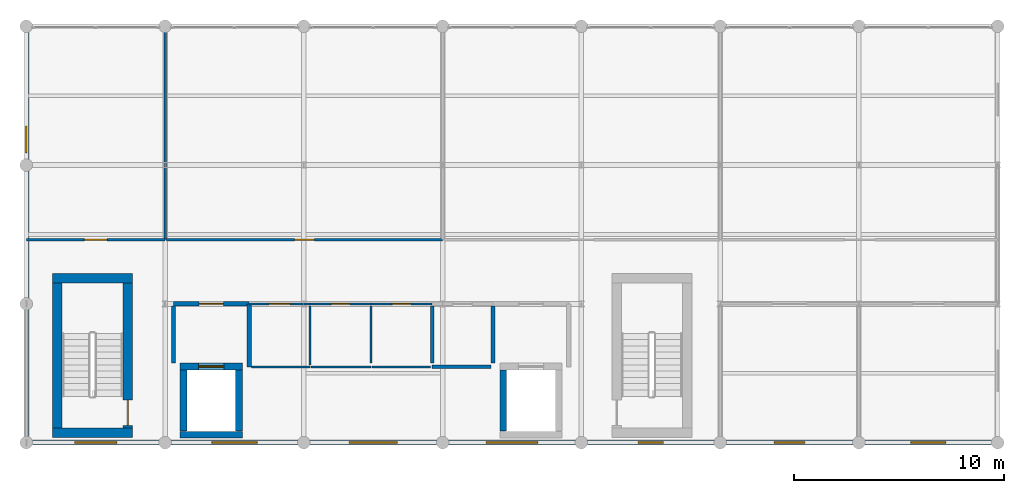
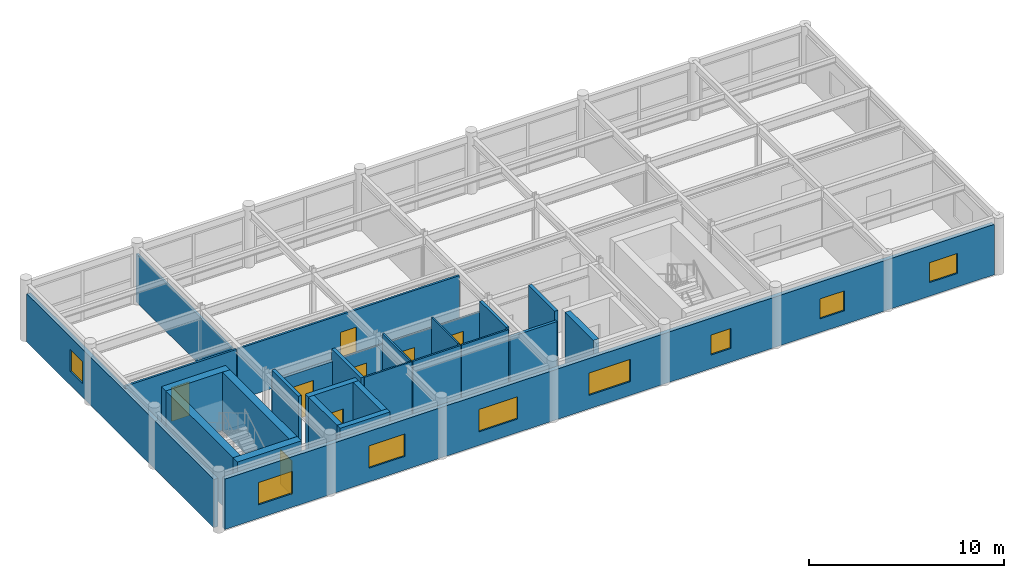
# One storey, part 15 of 17: 28 walls, 8 doors, 8 windows, 16 openings.
"""IFC4 building model written with IfcOpenShell, lengths in metres."""

from ifc_helpers import new_model, si_unit, direction, frame, frame_2d, origin, place, context, subcontext, project, spatial, rectangle, extrude, material, layer, layer_set, type_object, element, fill, save


model = new_model("IFC4")

# Units and contexts
model_context = context("Model", 3, precision=1e-05, world=origin(), true_north=direction((0.0, 1.0)))
body_context = subcontext(model_context, "Body", "Model", "MODEL_VIEW")
ifc_project = project(units=[si_unit("LENGTHUNIT", "METRE"), si_unit("AREAUNIT", "SQUARE_METRE"), si_unit("VOLUMEUNIT", "CUBIC_METRE"), si_unit("PLANEANGLEUNIT", "RADIAN"), si_unit("MASSUNIT", "GRAM", prefix="KILO")], contexts=[model_context])

# Site, building, storey
site_placement = place(None, origin())
site = spatial("IfcSite", under=ifc_project, at=site_placement, CompositionType="ELEMENT")
building_placement = place(site_placement, origin())
building = spatial("IfcBuilding", under=site, at=building_placement, Name="Karori Crest Natural Sciences Institute", CompositionType="ELEMENT")
storey_placement = place(building_placement, frame((0.0, 0.0, 38.14990234375)))
storey = spatial("IfcBuildingStorey", under=building, at=storey_placement, Name="L09", CompositionType="ELEMENT", Elevation=38.14990234375)

# Walls
ifc_material_1 = material(Name="Concrete 50 MPa", Category="concrete")
ifc_layer_1 = layer(ifc_material_1, 0.449951171875, Name="Concrete 50 MPa")
ifc_layer_set_1 = layer_set([ifc_layer_1], Name="Concrete 50 MPa")
wall_type_1 = type_object("IfcWallType", Name="IWT-01", PredefinedType="SHEAR", material=ifc_layer_set_1)
for number, where, z_axis, x_axis, name in (
    (1, (104.85009765625, 1.27490234375, 0.0), (0.0, 0.0, 1.0), (1.0, 0.0, 0.0), "Shear wall IW-0109"),
    (2, (104.85009765625, 8.625, 0.0), (0.0, 0.0, 1.0), (1.0, 0.0, 0.0), "Shear wall IW-0110"),
):
    element("IfcWall", number, at=place(storey_placement, frame(where, z_axis=z_axis, x_axis=x_axis)), inside=storey, type_object=wall_type_1, Name=name, PredefinedType="SHEAR", context=body_context, shape_type="SweptSolid", body=[
        extrude(rectangle(XDim=3.7998046875, YDim=0.449951171875, at=frame_2d((1.89990234375, 0.0))), origin(), (0.0, 0.0, 1.0), 3.670166015625),
    ])
wall_1_placement = place(storey_placement, frame((105.074951171875, 1.501953125, 0.0), z_axis=(0.0, 0.0, 1.0), x_axis=(0.0, 1.0, 0.0)))
element("IfcWall", 3, at=wall_1_placement, inside=storey, type_object=wall_type_1, Name="Shear wall IW-0111", PredefinedType="SHEAR", context=body_context, shape_type="SweptSolid", body=[
    extrude(rectangle(XDim=6.89599609375, YDim=0.449951171875, at=frame_2d((3.447998046875, 0.0))), origin(), (0.0, 0.0, 1.0), 3.670166015625),
])

# Wall, opening, door
wall_2_placement = place(storey_placement, frame((108.425048828125, 1.501953125, 0.0), z_axis=(0.0, 0.0, 1.0), x_axis=(0.0, 1.0, 0.0)))
wall_2 = element("IfcWall", 4, at=wall_2_placement, inside=storey, type_object=wall_type_1, Name="Shear wall IW-0112", PredefinedType="SHEAR", context=body_context, shape_type="SweptSolid", body=[
    extrude(rectangle(XDim=6.89599609375, YDim=0.449951171875, at=frame_2d((3.447998046875, 0.0))), origin(), (0.0, 0.0, 1.0), 3.670166015625),
])
opening_1_placement = place(wall_2_placement, frame((0.1201171875, 0.0, 0.0)))
opening_1 = element("IfcOpeningElement", 5, at=opening_1_placement, cuts=wall_2, Name="Opening ID-0028", PredefinedType="OPENING", context=body_context, shape_type="SweptSolid", body=[
    extrude(rectangle(XDim=1.199951171875, YDim=2.14990234375, at=frame_2d((0.60009765625, 1.074951171875))), frame((0.0, 0.23486328125, 0.0), z_axis=(0.0, -1.0, 0.0), x_axis=(1.0, 0.0, 0.0)), (0.0, 0.0, 1.0), 0.469970703125),
])
ifc_material_2 = material(Name="Stainless steel 316 and fire-rated timber", Category="steel")
door_type_1 = type_object("IfcDoorType", Name="IDT-01", OperationType="NOTDEFINED", PredefinedType="DOOR", material=ifc_material_2)
door_1_placement = place(opening_1_placement, origin())
door_1 = element("IfcDoor", 6, at=door_1_placement, inside=storey, type_object=door_type_1, Name="Stair ST-03 fire door ID-0028", OperationType="SINGLE_SWING_RIGHT", OverallHeight=2.14990234375, OverallWidth=1.199951171875, PredefinedType="DOOR", context=body_context, shape_type="SweptSolid", body=[
    extrude(rectangle(XDim=1.199951171875, YDim=2.14990234375, at=frame_2d((0.60009765625, 1.074951171875))), frame((0.0, 0.02490234375, 0.0), z_axis=(0.0, -1.0, 0.0), x_axis=(1.0, 0.0, 0.0)), (0.0, 0.0, 1.0), 0.050048828125),
])
fill(opening_1, door_1)

# Wall
ifc_layer_2 = layer(ifc_material_1, 0.320068359375, Name="Concrete 50 MPa")
ifc_layer_set_2 = layer_set([ifc_layer_2], Name="Concrete 50 MPa")
wall_type_2 = type_object("IfcWallType", Name="IWT-03", PredefinedType="SHEAR", material=ifc_layer_set_2)
wall_3_placement = place(storey_placement, frame((110.919921875, 1.179931640625, 0.0), z_axis=(0.0, 0.0, 1.0), x_axis=(1.0, 0.0, 0.0)))
element("IfcWall", 7, at=wall_3_placement, inside=storey, type_object=wall_type_2, Name="Shear wall IW-0345", PredefinedType="SHEAR", context=body_context, shape_type="SweptSolid", body=[
    extrude(rectangle(XDim=2.9599609375, YDim=0.320068359375, at=frame_2d((1.47998046875, 0.0))), origin(), (0.0, 0.0, 1.0), 3.670166015625),
])

# Wall, opening, door
wall_4_placement = place(storey_placement, frame((110.919921875, 4.419921875, 0.0), z_axis=(0.0, 0.0, 1.0), x_axis=(1.0, 0.0, 0.0)))
wall_4 = element("IfcWall", 8, at=wall_4_placement, inside=storey, type_object=wall_type_2, Name="Shear wall IW-0346", PredefinedType="SHEAR", context=body_context, shape_type="SweptSolid", body=[
    extrude(rectangle(XDim=2.9599609375, YDim=0.320068359375, at=frame_2d((1.47998046875, 0.0))), origin(), (0.0, 0.0, 1.0), 3.670166015625),
])
opening_2_placement = place(wall_4_placement, frame((0.8798828125, 0.0, 0.0)))
opening_2 = element("IfcOpeningElement", 9, at=opening_2_placement, cuts=wall_4, Name="Opening LD-0011", PredefinedType="OPENING", context=body_context, shape_type="SweptSolid", body=[
    extrude(rectangle(XDim=1.199951171875, YDim=2.199951171875, at=frame_2d((0.60009765625, 1.10009765625))), frame((0.0, 0.169921875, 0.0), z_axis=(0.0, -1.0, 0.0), x_axis=(1.0, 0.0, 0.0)), (0.0, 0.0, 1.0), 0.340087890625),
])
door_type_2 = type_object("IfcDoorType", Name="LDT-02", OperationType="SLIDING_TO_LEFT", PredefinedType="DOOR", material=ifc_material_2)
door_2_placement = place(opening_2_placement, origin())
door_2 = element("IfcDoor", 10, at=door_2_placement, inside=storey, type_object=door_type_2, Name="Lift LF-01 landing door LD-0011", OperationType="SLIDING_TO_LEFT", OverallHeight=2.199951171875, OverallWidth=1.199951171875, PredefinedType="DOOR", context=body_context, shape_type="SweptSolid", body=[
    extrude(rectangle(XDim=1.199951171875, YDim=2.199951171875, at=frame_2d((0.60009765625, 1.10009765625))), frame((0.0, 0.02490234375, 0.0), z_axis=(0.0, -1.0, 0.0), x_axis=(1.0, 0.0, 0.0)), (0.0, 0.0, 1.0), 0.050048828125),
])
fill(opening_2, door_2)

# Walls
for number, where, z_axis, x_axis, name in (
    (11, (111.080078125, 1.342041015625, 0.0), (0.0, 0.0, 1.0), (0.0, 1.0, 0.0), "Shear wall IW-0347"),
    (12, (113.719970703125, 1.342041015625, 0.0), (0.0, 0.0, 1.0), (0.0, 1.0, 0.0), "Shear wall IW-0348"),
    (13, (126.280029296875, 1.342041015625, 0.0), (0.0, 0.0, 1.0), (0.0, 1.0, 0.0), "Shear wall IW-0395"),
):
    element("IfcWall", number, at=place(storey_placement, frame(where, z_axis=z_axis, x_axis=x_axis)), inside=storey, type_object=wall_type_2, Name=name, PredefinedType="SHEAR", context=body_context, shape_type="SweptSolid", body=[
        extrude(rectangle(XDim=2.916015625, YDim=0.320068359375, at=frame_2d((1.4580078125, 0.0))), origin(), (0.0, 0.0, 1.0), 3.670166015625),
    ])

# Wall, opening, door
ifc_material_3 = material(Name="Concrete 40 MPa", Category="concrete")
ifc_layer_3 = layer(ifc_material_3, 0.199951171875, Name="Concrete 40 MPa")
ifc_layer_set_3 = layer_set([ifc_layer_3], Name="Concrete 40 MPa")
wall_type_3 = type_object("IfcWallType", Name="IWT-04", PredefinedType="SOLIDWALL", material=ifc_layer_set_3)
wall_5_placement = place(storey_placement, frame((110.60009765625, 7.39990234375, 0.0), z_axis=(0.0, 0.0, 1.0), x_axis=(1.0, 0.0, 0.0)))
wall_5 = element("IfcWall", 14, at=wall_5_placement, inside=storey, type_object=wall_type_3, Name="Partition wall IW-0838", PredefinedType="SOLIDWALL", context=body_context, shape_type="SweptSolid", body=[
    extrude(rectangle(XDim=3.599853515625, YDim=0.199951171875, at=frame_2d((1.7998046875, 0.0))), origin(), (0.0, 0.0, 1.0), 2.943115234375),
])
opening_3_placement = place(wall_5_placement, frame((1.22509765625, 0.0, 0.0)))
opening_3 = element("IfcOpeningElement", 15, at=opening_3_placement, cuts=wall_5, Name="Opening ID-0199", PredefinedType="OPENING", context=body_context, shape_type="SweptSolid", body=[
    extrude(rectangle(XDim=1.14990234375, YDim=2.14990234375, at=frame_2d((0.574951171875, 1.074951171875))), frame((0.0, 0.10986328125, 0.0), z_axis=(0.0, -1.0, 0.0), x_axis=(1.0, 0.0, 0.0)), (0.0, 0.0, 1.0), 0.219970703125),
])
door_type_3 = type_object("IfcDoorType", Name="IDT-02", OperationType="NOTDEFINED", PredefinedType="DOOR", material=ifc_material_2)
door_3_placement = place(opening_3_placement, origin())
door_3 = element("IfcDoor", 16, at=door_3_placement, inside=storey, type_object=door_type_3, Name="Firefighting Lift Lobby West door ID-0199", OperationType="SINGLE_SWING_RIGHT", OverallHeight=2.14990234375, OverallWidth=1.14990234375, PredefinedType="DOOR", context=body_context, shape_type="SweptSolid", body=[
    extrude(rectangle(XDim=1.14990234375, YDim=2.14990234375, at=frame_2d((0.574951171875, 1.074951171875))), frame((0.0, 0.02490234375, 0.0), z_axis=(0.0, -1.0, 0.0), x_axis=(1.0, 0.0, 0.0)), (0.0, 0.0, 1.0), 0.050048828125),
])
fill(opening_3, door_3)

# Walls
wall_6_placement = place(storey_placement, frame((110.60009765625, 4.58203125, 0.0), z_axis=(0.0, 0.0, 1.0), x_axis=(0.0, 1.0, 0.0)))
element("IfcWall", 17, at=wall_6_placement, inside=storey, type_object=wall_type_3, Name="Partition wall IW-0839", PredefinedType="SOLIDWALL", context=body_context, shape_type="SweptSolid", body=[
    extrude(rectangle(XDim=2.716064453125, YDim=0.199951171875, at=frame_2d((1.35791015625, 0.0))), origin(), (0.0, 0.0, 1.0), 3.670166015625),
])
wall_7_placement = place(storey_placement, frame((114.199951171875, 4.39990234375, 0.0), z_axis=(0.0, 0.0, 1.0), x_axis=(0.0, 1.0, 0.0)))
element("IfcWall", 18, at=wall_7_placement, inside=storey, type_object=wall_type_3, Name="Partition wall IW-0840", PredefinedType="SOLIDWALL", context=body_context, shape_type="SweptSolid", body=[
    extrude(rectangle(XDim=3.0, YDim=0.199951171875, at=frame_2d((1.5, 0.0))), origin(), (0.0, 0.0, 1.0), 3.670166015625),
])
wall_8_placement = place(storey_placement, frame((125.800048828125, 4.58203125, 0.0), z_axis=(0.0, 0.0, 1.0), x_axis=(0.0, 1.0, 0.0)))
element("IfcWall", 19, at=wall_8_placement, inside=storey, type_object=wall_type_3, Name="Partition wall IW-0842", PredefinedType="SOLIDWALL", context=body_context, shape_type="SweptSolid", body=[
    extrude(rectangle(XDim=2.716064453125, YDim=0.199951171875, at=frame_2d((1.35791015625, 0.0))), origin(), (0.0, 0.0, 1.0), 3.670166015625),
])
ifc_material_4 = material(Name="Acoustic steel-stud fireboard partition", Category="steel")
ifc_layer_4 = layer(ifc_material_4, 0.159912109375, Name="Acoustic steel-stud fireboard partition")
ifc_layer_set_4 = layer_set([ifc_layer_4], Name="Acoustic steel-stud fireboard partition")
wall_type_4 = type_object("IfcWallType", Name="IWT-05", PredefinedType="PARTITIONING", material=ifc_layer_set_4)
wall_9_placement = place(storey_placement, frame((122.89990234375, 4.39990234375, 0.0), z_axis=(0.0, 0.0, 1.0), x_axis=(1.0, 0.0, 0.0)))
element("IfcWall", 20, at=wall_9_placement, inside=storey, type_object=wall_type_4, Name="Partition wall IW-0844", PredefinedType="PARTITIONING", context=body_context, shape_type="SweptSolid", body=[
    extrude(rectangle(XDim=2.798095703125, YDim=0.159912109375, at=frame_2d((1.39892578125, 0.0))), origin(), (0.0, 0.0, 1.0), 3.196044921875),
])
wall_10_placement = place(storey_placement, frame((122.89990234375, 4.58203125, 0.0), z_axis=(0.0, 0.0, 1.0), x_axis=(0.0, 1.0, 0.0)))
element("IfcWall", 21, at=wall_10_placement, inside=storey, type_object=wall_type_4, Name="Partition wall IW-0846", PredefinedType="PARTITIONING", context=body_context, shape_type="SweptSolid", body=[
    extrude(rectangle(XDim=2.716064453125, YDim=0.159912109375, at=frame_2d((1.35791015625, 0.0))), origin(), (0.0, 0.0, 1.0), 3.670166015625),
])

# Wall, opening, door
ifc_material_5 = material(Name="Write-up office acoustic partition")
ifc_layer_5 = layer(ifc_material_5, 0.1201171875, Name="Write-up office acoustic partition")
ifc_layer_set_5 = layer_set([ifc_layer_5], Name="Write-up office acoustic partition")
wall_type_5 = type_object("IfcWallType", Name="IWT-08", PredefinedType="PARTITIONING", material=ifc_layer_set_5)
wall_11_placement = place(storey_placement, frame((103.60009765625, 10.449951171875, 0.0), z_axis=(0.0, 0.0, 1.0), x_axis=(1.0, 0.0, 0.0)))
wall_11 = element("IfcWall", 22, at=wall_11_placement, inside=storey, type_object=wall_type_5, Name="Partition wall IW-0859", PredefinedType="PARTITIONING", context=body_context, shape_type="SweptSolid", body=[
    extrude(rectangle(XDim=6.599853515625, YDim=0.1201171875, at=frame_2d((3.2998046875, 0.0))), origin(), (0.0, 0.0, 1.0), 3.196044921875),
])
opening_4_placement = place(wall_11_placement, frame((2.760009765625, 0.0, 0.0)))
opening_4 = element("IfcOpeningElement", 23, at=opening_4_placement, cuts=wall_11, Name="Opening ID-0207", PredefinedType="OPENING", context=body_context, shape_type="SweptSolid", body=[
    extrude(rectangle(XDim=1.080078125, YDim=2.1201171875, at=frame_2d((0.5400390625, 1.06005859375))), frame((0.0, 0.070068359375, 0.0), z_axis=(0.0, -1.0, 0.0), x_axis=(1.0, 0.0, 0.0)), (0.0, 0.0, 1.0), 0.14013671875),
])
ifc_material_6 = material(Name="Anodised aluminium and acoustic timber", Category="wood")
door_type_4 = type_object("IfcDoorType", Name="IDT-12", OperationType="NOTDEFINED", PredefinedType="DOOR", material=ifc_material_6)
door_4_placement = place(opening_4_placement, origin())
door_4 = element("IfcDoor", 24, at=door_4_placement, inside=storey, type_object=door_type_4, Name="Researcher Write-Up Office door ID-0207", OperationType="SINGLE_SWING_RIGHT", OverallHeight=2.1201171875, OverallWidth=1.080078125, PredefinedType="DOOR", context=body_context, shape_type="SweptSolid", body=[
    extrude(rectangle(XDim=1.080078125, YDim=2.1201171875, at=frame_2d((0.5400390625, 1.06005859375))), frame((0.0, 0.02490234375, 0.0), z_axis=(0.0, -1.0, 0.0), x_axis=(1.0, 0.0, 0.0)), (0.0, 0.0, 1.0), 0.050048828125),
])
fill(opening_4, door_4)

# Wall
wall_12_placement = place(storey_placement, frame((110.199951171875, 10.449951171875, 0.0), z_axis=(0.0, 0.0, 1.0), x_axis=(0.0, 1.0, 0.0)))
element("IfcWall", 25, at=wall_12_placement, inside=storey, type_object=wall_type_5, Name="Partition wall IW-0860", PredefinedType="PARTITIONING", context=body_context, shape_type="SweptSolid", body=[
    extrude(rectangle(XDim=10.150146484375, YDim=0.1201171875, at=frame_2d((5.0751953125, 0.0))), origin(), (0.0, 0.0, 1.0), 3.022216796875),
])

# Wall, opening, door
wall_13_placement = place(storey_placement, frame((110.261962890625, 10.449951171875, 0.0), z_axis=(0.0, 0.0, 1.0), x_axis=(1.0, 0.0, 0.0)))
wall_13 = element("IfcWall", 26, at=wall_13_placement, inside=storey, type_object=wall_type_5, Name="Partition wall IW-0861", PredefinedType="PARTITIONING", context=body_context, shape_type="SweptSolid", body=[
    extrude(rectangle(XDim=13.137939453125, YDim=0.1201171875, at=frame_2d((6.56884765625, 0.0))), origin(), (0.0, 0.0, 1.0), 3.196044921875),
])
opening_5_placement = place(wall_13_placement, frame((6.093994140625, 0.0, 0.0)))
opening_5 = element("IfcOpeningElement", 27, at=opening_5_placement, cuts=wall_13, Name="Opening ID-0208", PredefinedType="OPENING", context=body_context, shape_type="SweptSolid", body=[
    extrude(rectangle(XDim=0.949951171875, YDim=2.10009765625, at=frame_2d((0.47509765625, 1.050048828125))), frame((0.0, 0.070068359375, 0.0), z_axis=(0.0, -1.0, 0.0), x_axis=(1.0, 0.0, 0.0)), (0.0, 0.0, 1.0), 0.14013671875),
])
door_type_5 = type_object("IfcDoorType", Name="IDT-08", OperationType="NOTDEFINED", PredefinedType="DOOR", material=ifc_material_6)
door_5_placement = place(opening_5_placement, origin())
door_5 = element("IfcDoor", 28, at=door_5_placement, inside=storey, type_object=door_type_5, Name="Computational Ecology Studio door ID-0208", OperationType="SINGLE_SWING_LEFT", OverallHeight=2.10009765625, OverallWidth=0.949951171875, PredefinedType="DOOR", context=body_context, shape_type="SweptSolid", body=[
    extrude(rectangle(XDim=0.949951171875, YDim=2.10009765625, at=frame_2d((0.47509765625, 1.050048828125))), frame((0.0, 0.02490234375, 0.0), z_axis=(0.0, -1.0, 0.0), x_axis=(1.0, 0.0, 0.0)), (0.0, 0.0, 1.0), 0.050048828125),
])
fill(opening_5, door_5)

# Wall
ifc_material_7 = material(Name="Washroom moisture-resistant partition")
ifc_layer_6 = layer(ifc_material_7, 0.10009765625, Name="Washroom moisture-resistant partition")
ifc_layer_set_6 = layer_set([ifc_layer_6], Name="Washroom moisture-resistant partition")
wall_type_6 = type_object("IfcWallType", Name="IWT-09", PredefinedType="PARTITIONING", material=ifc_layer_set_6)
wall_14_placement = place(storey_placement, frame((114.302001953125, 4.39990234375, 0.0), z_axis=(0.0, 0.0, 1.0), x_axis=(1.0, 0.0, 0.0)))
element("IfcWall", 29, at=wall_14_placement, inside=storey, type_object=wall_type_6, Name="Partition wall IW-0847", PredefinedType="PARTITIONING", context=body_context, shape_type="SweptSolid", body=[
    extrude(rectangle(XDim=2.798095703125, YDim=0.10009765625, at=frame_2d((1.39892578125, 0.0))), origin(), (0.0, 0.0, 1.0), 3.670166015625),
])

# Wall, opening, door
wall_15_placement = place(storey_placement, frame((114.201904296875, 7.39990234375, 0.0), z_axis=(0.0, 0.0, 1.0), x_axis=(1.0, 0.0, 0.0)))
wall_15 = element("IfcWall", 30, at=wall_15_placement, inside=storey, type_object=wall_type_6, Name="Partition wall IW-0848", PredefinedType="PARTITIONING", context=body_context, shape_type="SweptSolid", body=[
    extrude(rectangle(XDim=2.898193359375, YDim=0.10009765625, at=frame_2d((1.44921875, 0.0))), origin(), (0.0, 0.0, 1.0), 2.943115234375),
])
opening_6_placement = place(wall_15_placement, frame((0.948974609375, 0.0, 0.0)))
opening_6 = element("IfcOpeningElement", 31, at=opening_6_placement, cuts=wall_15, Name="Opening ID-0202", PredefinedType="OPENING", context=body_context, shape_type="SweptSolid", body=[
    extrude(rectangle(XDim=1.0, YDim=2.10009765625, at=frame_2d((0.5, 1.050048828125))), frame((0.0, 0.06005859375, 0.0), z_axis=(0.0, -1.0, 0.0), x_axis=(1.0, 0.0, 0.0)), (0.0, 0.0, 1.0), 0.1201171875),
])
door_type_6 = type_object("IfcDoorType", Name="IDT-09", OperationType="NOTDEFINED", PredefinedType="DOOR", material=ifc_material_6)
door_6_placement = place(opening_6_placement, origin())
door_6 = element("IfcDoor", 32, at=door_6_placement, inside=storey, type_object=door_type_6, Name="Accessible WC door ID-0202", OperationType="SINGLE_SWING_LEFT", OverallHeight=2.10009765625, OverallWidth=1.0, PredefinedType="DOOR", context=body_context, shape_type="SweptSolid", body=[
    extrude(rectangle(XDim=1.0, YDim=2.10009765625, at=frame_2d((0.5, 1.050048828125))), frame((0.0, 0.02490234375, 0.0), z_axis=(0.0, -1.0, 0.0), x_axis=(1.0, 0.0, 0.0)), (0.0, 0.0, 1.0), 0.050048828125),
])
fill(opening_6, door_6)

# Walls
wall_16_placement = place(storey_placement, frame((117.10009765625, 4.48193359375, 0.0), z_axis=(0.0, 0.0, 1.0), x_axis=(0.0, 1.0, 0.0)))
element("IfcWall", 33, at=wall_16_placement, inside=storey, type_object=wall_type_6, Name="Partition wall IW-0849", PredefinedType="PARTITIONING", context=body_context, shape_type="SweptSolid", body=[
    extrude(rectangle(XDim=2.816162109375, YDim=0.10009765625, at=frame_2d((1.408203125, 0.0))), origin(), (0.0, 0.0, 1.0), 3.670166015625),
])
wall_17_placement = place(storey_placement, frame((117.152099609375, 4.39990234375, 0.0), z_axis=(0.0, 0.0, 1.0), x_axis=(1.0, 0.0, 0.0)))
element("IfcWall", 34, at=wall_17_placement, inside=storey, type_object=wall_type_6, Name="Partition wall IW-0850", PredefinedType="PARTITIONING", context=body_context, shape_type="SweptSolid", body=[
    extrude(rectangle(XDim=2.847900390625, YDim=0.10009765625, at=frame_2d((1.423828125, 0.0))), origin(), (0.0, 0.0, 1.0), 3.670166015625),
])

# Wall, opening, door
wall_18_placement = place(storey_placement, frame((117.10205078125, 7.39990234375, 0.0), z_axis=(0.0, 0.0, 1.0), x_axis=(1.0, 0.0, 0.0)))
wall_18 = element("IfcWall", 35, at=wall_18_placement, inside=storey, type_object=wall_type_6, Name="Partition wall IW-0851", PredefinedType="PARTITIONING", context=body_context, shape_type="SweptSolid", body=[
    extrude(rectangle(XDim=2.89794921875, YDim=0.10009765625, at=frame_2d((1.448974609375, 0.0))), origin(), (0.0, 0.0, 1.0), 2.943115234375),
])
opening_7_placement = place(wall_18_placement, frame((1.009033203125, 0.0, 0.0)))
opening_7 = element("IfcOpeningElement", 36, at=opening_7_placement, cuts=wall_18, Name="Opening ID-0203", PredefinedType="OPENING", context=body_context, shape_type="SweptSolid", body=[
    extrude(rectangle(XDim=0.8798828125, YDim=2.080078125, at=frame_2d((0.43994140625, 1.0400390625))), frame((0.0, 0.06005859375, 0.0), z_axis=(0.0, -1.0, 0.0), x_axis=(1.0, 0.0, 0.0)), (0.0, 0.0, 1.0), 0.1201171875),
])
door_type_7 = type_object("IfcDoorType", Name="IDT-10", OperationType="NOTDEFINED", PredefinedType="DOOR", material=ifc_material_6)
door_7_placement = place(opening_7_placement, origin())
door_7 = element("IfcDoor", 37, at=door_7_placement, inside=storey, type_object=door_type_7, Name="Female Washroom WC door ID-0203", OperationType="SINGLE_SWING_RIGHT", OverallHeight=2.080078125, OverallWidth=0.8798828125, PredefinedType="DOOR", context=body_context, shape_type="SweptSolid", body=[
    extrude(rectangle(XDim=0.8798828125, YDim=2.080078125, at=frame_2d((0.43994140625, 1.0400390625))), frame((0.0, 0.02490234375, 0.0), z_axis=(0.0, -1.0, 0.0), x_axis=(1.0, 0.0, 0.0)), (0.0, 0.0, 1.0), 0.050048828125),
])
fill(opening_7, door_7)

# Walls
wall_19_placement = place(storey_placement, frame((120.0, 4.58203125, 0.0), z_axis=(0.0, 0.0, 1.0), x_axis=(0.0, 1.0, 0.0)))
element("IfcWall", 38, at=wall_19_placement, inside=storey, type_object=wall_type_6, Name="Partition wall IW-0852", PredefinedType="PARTITIONING", context=body_context, shape_type="SweptSolid", body=[
    extrude(rectangle(XDim=2.716064453125, YDim=0.10009765625, at=frame_2d((1.35791015625, 0.0))), origin(), (0.0, 0.0, 1.0), 3.670166015625),
])
wall_20_placement = place(storey_placement, frame((120.052001953125, 4.39990234375, 0.0), z_axis=(0.0, 0.0, 1.0), x_axis=(1.0, 0.0, 0.0)))
element("IfcWall", 39, at=wall_20_placement, inside=storey, type_object=wall_type_6, Name="Partition wall IW-0853", PredefinedType="PARTITIONING", context=body_context, shape_type="SweptSolid", body=[
    extrude(rectangle(XDim=2.76611328125, YDim=0.10009765625, at=frame_2d((1.383056640625, 0.0))), origin(), (0.0, 0.0, 1.0), 3.670166015625),
])

# Wall, opening, door
wall_21_placement = place(storey_placement, frame((120.001953125, 7.39990234375, 0.0), z_axis=(0.0, 0.0, 1.0), x_axis=(1.0, 0.0, 0.0)))
wall_21 = element("IfcWall", 40, at=wall_21_placement, inside=storey, type_object=wall_type_6, Name="Partition wall IW-0854", PredefinedType="PARTITIONING", context=body_context, shape_type="SweptSolid", body=[
    extrude(rectangle(XDim=2.89599609375, YDim=0.10009765625, at=frame_2d((1.447998046875, 0.0))), origin(), (0.0, 0.0, 1.0), 2.943115234375),
])
opening_8_placement = place(wall_21_placement, frame((1.008056640625, 0.0, 0.0)))
opening_8 = element("IfcOpeningElement", 41, at=opening_8_placement, cuts=wall_21, Name="Opening ID-0204", PredefinedType="OPENING", context=body_context, shape_type="SweptSolid", body=[
    extrude(rectangle(XDim=0.8798828125, YDim=2.080078125, at=frame_2d((0.43994140625, 1.0400390625))), frame((0.0, 0.06005859375, 0.0), z_axis=(0.0, -1.0, 0.0), x_axis=(1.0, 0.0, 0.0)), (0.0, 0.0, 1.0), 0.1201171875),
])
door_8_placement = place(opening_8_placement, origin())
door_8 = element("IfcDoor", 42, at=door_8_placement, inside=storey, type_object=door_type_7, Name="Male Washroom WC door ID-0204", OperationType="SINGLE_SWING_LEFT", OverallHeight=2.080078125, OverallWidth=0.8798828125, PredefinedType="DOOR", context=body_context, shape_type="SweptSolid", body=[
    extrude(rectangle(XDim=0.8798828125, YDim=2.080078125, at=frame_2d((0.43994140625, 1.0400390625))), frame((0.0, 0.02490234375, 0.0), z_axis=(0.0, -1.0, 0.0), x_axis=(1.0, 0.0, 0.0)), (0.0, 0.0, 1.0), 0.050048828125),
])
fill(opening_8, door_8)

# Wall, opening, window
ifc_material_8 = material(Name="Precast concrete 40 MPa", Category="concrete")
ifc_layer_7 = layer(ifc_material_8, 0.239990234375, Name="Precast concrete 40 MPa")
ifc_layer_set_7 = layer_set([ifc_layer_7], Name="Precast concrete 40 MPa")
wall_type_7 = type_object("IfcWallType", Name="WT-04", PredefinedType="SOLIDWALL", material=ifc_layer_set_7)
wall_22_placement = place(storey_placement, frame((103.60009765625, 1.097900390625, 0.0), z_axis=(0.0, 0.0, 1.0), x_axis=(0.0, 1.0, 0.0)))
wall_22 = element("IfcWall", 43, at=wall_22_placement, inside=storey, type_object=wall_type_7, Name="Exterior wall EW-0221", PredefinedType="SOLIDWALL", context=body_context, shape_type="SweptSolid", body=[
    extrude(rectangle(XDim=19.2041015625, YDim=0.239990234375, at=frame_2d((9.60205078125, 0.0))), origin(), (0.0, 0.0, 1.0), 3.022216796875),
])
opening_9_placement = place(wall_22_placement, frame((13.5, 0.0, 0.85009765625)))
opening_9 = element("IfcOpeningElement", 44, at=opening_9_placement, cuts=wall_22, Name="Opening WN-0222", PredefinedType="OPENING", context=body_context, shape_type="SweptSolid", body=[
    extrude(rectangle(XDim=1.25, YDim=1.39990234375, at=frame_2d((0.625, 0.699951171875))), frame((0.0, 0.1298828125, 0.0), z_axis=(0.0, -1.0, 0.0), x_axis=(1.0, 0.0, 0.0)), (0.0, 0.0, 1.0), 0.260009765625),
])
ifc_material_9 = material(Name="Double low-E laminated glass", Category="glass")
window_type_1 = type_object("IfcWindowType", Name="WNT-02", PartitioningType="SINGLE_PANEL", PredefinedType="WINDOW", material=ifc_material_9)
window_1_placement = place(opening_9_placement, origin())
window_1 = element("IfcWindow", 45, at=window_1_placement, inside=storey, type_object=window_type_1, Name="Window WN-0222", OverallHeight=1.39990234375, OverallWidth=1.25, PartitioningType="SINGLE_PANEL", PredefinedType="WINDOW", context=body_context, shape_type="SweptSolid", body=[
    extrude(rectangle(XDim=1.25, YDim=1.39990234375, at=frame_2d((0.625, 0.699951171875))), frame((0.0, 0.030029296875, 0.0), z_axis=(0.0, -1.0, 0.0), x_axis=(1.0, 0.0, 0.0)), (0.0, 0.0, 1.0), 0.06005859375),
])
fill(opening_9, window_1)

# Wall, openings, windows
wall_23_placement = place(storey_placement, frame((149.501953125, 0.800048828125, 0.0), z_axis=(0.0, 0.0, 1.0), x_axis=(-1.0, 0.0, 0.0)))
wall_23 = element("IfcWall", 46, at=wall_23_placement, inside=storey, type_object=wall_type_7, Name="Exterior wall EW-0223", PredefinedType="SOLIDWALL", context=body_context, shape_type="SweptSolid", body=[
    extrude(rectangle(XDim=45.60400390625, YDim=0.239990234375, at=frame_2d((22.802001953125, 0.0))), origin(), (0.0, 0.0, 1.0), 3.155029296875),
])
opening_10_placement = place(wall_23_placement, frame((41.60205078125, 0.0, 0.85009765625)))
opening_10 = element("IfcOpeningElement", 47, at=opening_10_placement, cuts=wall_23, Name="Opening WN-0225", PredefinedType="OPENING", context=body_context, shape_type="SweptSolid", body=[
    extrude(rectangle(XDim=2.0, YDim=1.39990234375, at=frame_2d((1.0, 0.699951171875))), frame((0.0, 0.1298828125, 0.0), z_axis=(0.0, -1.0, 0.0), x_axis=(1.0, 0.0, 0.0)), (0.0, 0.0, 1.0), 0.260009765625),
])
opening_11_placement = place(wall_23_placement, frame((34.927001953125, 0.0, 0.85009765625)))
opening_11 = element("IfcOpeningElement", 48, at=opening_11_placement, cuts=wall_23, Name="Opening WN-0226", PredefinedType="OPENING", context=body_context, shape_type="SweptSolid", body=[
    extrude(rectangle(XDim=2.14990234375, YDim=1.39990234375, at=frame_2d((1.074951171875, 0.699951171875))), frame((0.0, 0.1298828125, 0.0), z_axis=(0.0, -1.0, 0.0), x_axis=(1.0, 0.0, 0.0)), (0.0, 0.0, 1.0), 0.260009765625),
])
opening_12_placement = place(wall_23_placement, frame((28.251953125, 0.0, 0.85009765625)))
opening_12 = element("IfcOpeningElement", 49, at=opening_12_placement, cuts=wall_23, Name="Opening WN-0227", PredefinedType="OPENING", context=body_context, shape_type="SweptSolid", body=[
    extrude(rectangle(XDim=2.300048828125, YDim=1.39990234375, at=frame_2d((1.14990234375, 0.699951171875))), frame((0.0, 0.1298828125, 0.0), z_axis=(0.0, -1.0, 0.0), x_axis=(1.0, 0.0, 0.0)), (0.0, 0.0, 1.0), 0.260009765625),
])
opening_13_placement = place(wall_23_placement, frame((21.576904296875, 0.0, 0.85009765625)))
opening_13 = element("IfcOpeningElement", 50, at=opening_13_placement, cuts=wall_23, Name="Opening WN-0228", PredefinedType="OPENING", context=body_context, shape_type="SweptSolid", body=[
    extrude(rectangle(XDim=2.449951171875, YDim=1.39990234375, at=frame_2d((1.22509765625, 0.699951171875))), frame((0.0, 0.1298828125, 0.0), z_axis=(0.0, -1.0, 0.0), x_axis=(1.0, 0.0, 0.0)), (0.0, 0.0, 1.0), 0.260009765625),
])
opening_14_placement = place(wall_23_placement, frame((15.60205078125, 0.0, 0.85009765625)))
opening_14 = element("IfcOpeningElement", 51, at=opening_14_placement, cuts=wall_23, Name="Opening WN-0229", PredefinedType="OPENING", context=body_context, shape_type="SweptSolid", body=[
    extrude(rectangle(XDim=1.199951171875, YDim=1.25, at=frame_2d((0.60009765625, 0.625))), frame((0.0, 0.1298828125, 0.0), z_axis=(0.0, -1.0, 0.0), x_axis=(1.0, 0.0, 0.0)), (0.0, 0.0, 1.0), 0.260009765625),
])
opening_15_placement = place(wall_23_placement, frame((8.876953125, 0.0, 0.85009765625)))
opening_15 = element("IfcOpeningElement", 52, at=opening_15_placement, cuts=wall_23, Name="Opening WN-0230", PredefinedType="OPENING", context=body_context, shape_type="SweptSolid", body=[
    extrude(rectangle(XDim=1.449951171875, YDim=1.25, at=frame_2d((0.72509765625, 0.625))), frame((0.0, 0.1298828125, 0.0), z_axis=(0.0, -1.0, 0.0), x_axis=(1.0, 0.0, 0.0)), (0.0, 0.0, 1.0), 0.260009765625),
])
opening_16_placement = place(wall_23_placement, frame((2.177001953125, 0.0, 0.85009765625)))
opening_16 = element("IfcOpeningElement", 53, at=opening_16_placement, cuts=wall_23, Name="Opening WN-0231", PredefinedType="OPENING", context=body_context, shape_type="SweptSolid", body=[
    extrude(rectangle(XDim=1.64990234375, YDim=1.25, at=frame_2d((0.824951171875, 0.625))), frame((0.0, 0.1298828125, 0.0), z_axis=(0.0, -1.0, 0.0), x_axis=(1.0, 0.0, 0.0)), (0.0, 0.0, 1.0), 0.260009765625),
])
window_type_2 = type_object("IfcWindowType", Name="WNT-07", PartitioningType="SINGLE_PANEL", PredefinedType="WINDOW", material=ifc_material_9)
window_2_placement = place(opening_10_placement, origin())
window_2 = element("IfcWindow", 54, at=window_2_placement, inside=storey, type_object=window_type_2, Name="Window WN-0225", OverallHeight=1.39990234375, OverallWidth=2.0, PartitioningType="SINGLE_PANEL", PredefinedType="WINDOW", context=body_context, shape_type="SweptSolid", body=[
    extrude(rectangle(XDim=2.0, YDim=1.39990234375, at=frame_2d((1.0, 0.699951171875))), frame((0.0, 0.030029296875, 0.0), z_axis=(0.0, -1.0, 0.0), x_axis=(1.0, 0.0, 0.0)), (0.0, 0.0, 1.0), 0.06005859375),
])
fill(opening_10, window_2)
window_type_3 = type_object("IfcWindowType", Name="WNT-08", PartitioningType="SINGLE_PANEL", PredefinedType="WINDOW", material=ifc_material_9)
window_3_placement = place(opening_11_placement, origin())
window_3 = element("IfcWindow", 55, at=window_3_placement, inside=storey, type_object=window_type_3, Name="Window WN-0226", OverallHeight=1.39990234375, OverallWidth=2.14990234375, PartitioningType="SINGLE_PANEL", PredefinedType="WINDOW", context=body_context, shape_type="SweptSolid", body=[
    extrude(rectangle(XDim=2.14990234375, YDim=1.39990234375, at=frame_2d((1.074951171875, 0.699951171875))), frame((0.0, 0.030029296875, 0.0), z_axis=(0.0, -1.0, 0.0), x_axis=(1.0, 0.0, 0.0)), (0.0, 0.0, 1.0), 0.06005859375),
])
fill(opening_11, window_3)
window_type_4 = type_object("IfcWindowType", Name="WNT-09", PartitioningType="SINGLE_PANEL", PredefinedType="WINDOW", material=ifc_material_9)
window_4_placement = place(opening_12_placement, origin())
window_4 = element("IfcWindow", 56, at=window_4_placement, inside=storey, type_object=window_type_4, Name="Window WN-0227", OverallHeight=1.39990234375, OverallWidth=2.300048828125, PartitioningType="SINGLE_PANEL", PredefinedType="WINDOW", context=body_context, shape_type="SweptSolid", body=[
    extrude(rectangle(XDim=2.300048828125, YDim=1.39990234375, at=frame_2d((1.14990234375, 0.699951171875))), frame((0.0, 0.030029296875, 0.0), z_axis=(0.0, -1.0, 0.0), x_axis=(1.0, 0.0, 0.0)), (0.0, 0.0, 1.0), 0.06005859375),
])
fill(opening_12, window_4)
window_type_5 = type_object("IfcWindowType", Name="WNT-10", PartitioningType="SINGLE_PANEL", PredefinedType="WINDOW", material=ifc_material_9)
window_5_placement = place(opening_13_placement, origin())
window_5 = element("IfcWindow", 57, at=window_5_placement, inside=storey, type_object=window_type_5, Name="Window WN-0228", OverallHeight=1.39990234375, OverallWidth=2.449951171875, PartitioningType="SINGLE_PANEL", PredefinedType="WINDOW", context=body_context, shape_type="SweptSolid", body=[
    extrude(rectangle(XDim=2.449951171875, YDim=1.39990234375, at=frame_2d((1.22509765625, 0.699951171875))), frame((0.0, 0.030029296875, 0.0), z_axis=(0.0, -1.0, 0.0), x_axis=(1.0, 0.0, 0.0)), (0.0, 0.0, 1.0), 0.06005859375),
])
fill(opening_13, window_5)
window_type_6 = type_object("IfcWindowType", Name="WNT-11", PartitioningType="SINGLE_PANEL", PredefinedType="WINDOW", material=ifc_material_9)
window_6_placement = place(opening_14_placement, origin())
window_6 = element("IfcWindow", 58, at=window_6_placement, inside=storey, type_object=window_type_6, Name="Window WN-0229", OverallHeight=1.25, OverallWidth=1.199951171875, PartitioningType="SINGLE_PANEL", PredefinedType="WINDOW", context=body_context, shape_type="SweptSolid", body=[
    extrude(rectangle(XDim=1.199951171875, YDim=1.25, at=frame_2d((0.60009765625, 0.625))), frame((0.0, 0.030029296875, 0.0), z_axis=(0.0, -1.0, 0.0), x_axis=(1.0, 0.0, 0.0)), (0.0, 0.0, 1.0), 0.06005859375),
])
fill(opening_14, window_6)
window_type_7 = type_object("IfcWindowType", Name="WNT-12", PartitioningType="SINGLE_PANEL", PredefinedType="WINDOW", material=ifc_material_9)
window_7_placement = place(opening_15_placement, origin())
window_7 = element("IfcWindow", 59, at=window_7_placement, inside=storey, type_object=window_type_7, Name="Window WN-0230", OverallHeight=1.25, OverallWidth=1.449951171875, PartitioningType="SINGLE_PANEL", PredefinedType="WINDOW", context=body_context, shape_type="SweptSolid", body=[
    extrude(rectangle(XDim=1.449951171875, YDim=1.25, at=frame_2d((0.72509765625, 0.625))), frame((0.0, 0.030029296875, 0.0), z_axis=(0.0, -1.0, 0.0), x_axis=(1.0, 0.0, 0.0)), (0.0, 0.0, 1.0), 0.06005859375),
])
fill(opening_15, window_7)
window_type_8 = type_object("IfcWindowType", Name="WNT-13", PartitioningType="SINGLE_PANEL", PredefinedType="WINDOW", material=ifc_material_9)
window_8_placement = place(opening_16_placement, origin())
window_8 = element("IfcWindow", 60, at=window_8_placement, inside=storey, type_object=window_type_8, Name="Window WN-0231", OverallHeight=1.25, OverallWidth=1.64990234375, PartitioningType="SINGLE_PANEL", PredefinedType="WINDOW", context=body_context, shape_type="SweptSolid", body=[
    extrude(rectangle(XDim=1.64990234375, YDim=1.25, at=frame_2d((0.824951171875, 0.625))), frame((0.0, 0.030029296875, 0.0), z_axis=(0.0, -1.0, 0.0), x_axis=(1.0, 0.0, 0.0)), (0.0, 0.0, 1.0), 0.06005859375),
])
fill(opening_16, window_8)

save(model, "model.ifc")
